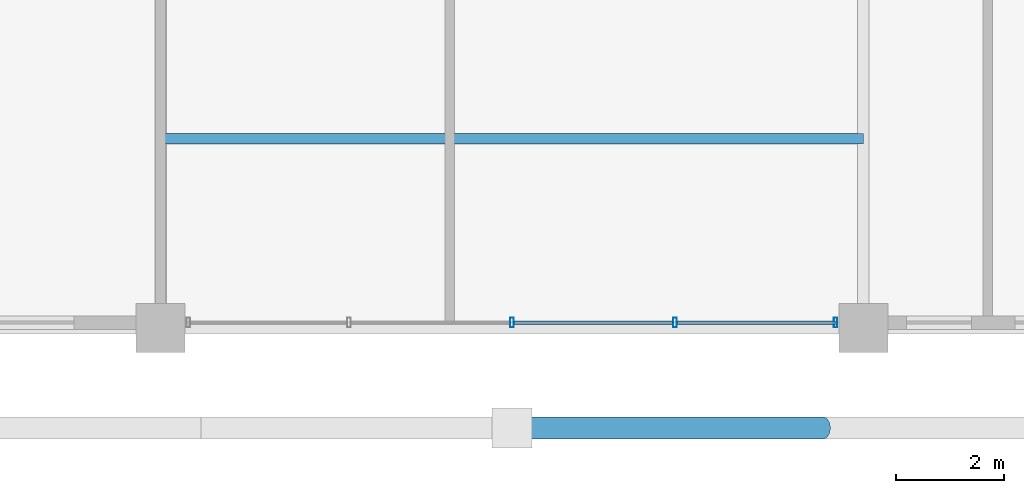
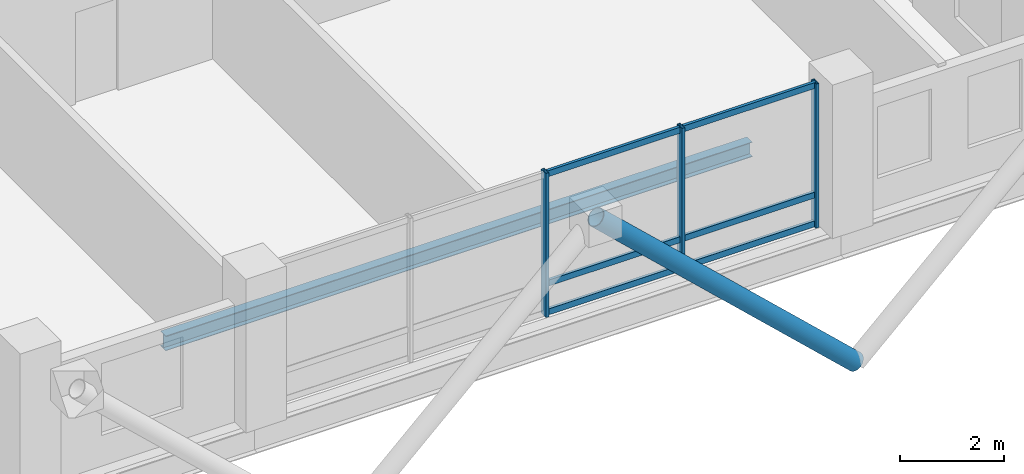
# One storey, part 5 of 23: 10 members, 1 beam, 1 element without a shape of its own.
"""IFC4 building model written with IfcOpenShell, lengths in metres."""

from ifc_helpers import new_model, si_unit, direction, frame, origin, origin_2d, place, context, subcontext, project, spatial, hollow_rectangle, hollow_circle, i_section, extrude, material, layer, layer_set, material_profile, profile_set, type_object, element, aggregate, save


model = new_model("IFC4")

# Units and contexts
model_context = context("Model", 3, precision=1e-05, world=origin(), true_north=direction((0.0, 1.0)))
body_context = subcontext(model_context, "Body", "Model", "MODEL_VIEW")
ifc_project = project(units=[si_unit("LENGTHUNIT", "METRE"), si_unit("AREAUNIT", "SQUARE_METRE"), si_unit("VOLUMEUNIT", "CUBIC_METRE"), si_unit("PLANEANGLEUNIT", "RADIAN"), si_unit("MASSUNIT", "GRAM", prefix="KILO")], contexts=[model_context])

# Site, building, storey
site_placement = place(None, origin())
site = spatial("IfcSite", under=ifc_project, at=site_placement, CompositionType="ELEMENT")
building_placement = place(site_placement, origin())
building = spatial("IfcBuilding", under=site, at=building_placement, Name="Barlavira Tower and Art Museum", CompositionType="ELEMENT")
storey_placement = place(building_placement, frame((0.0, 0.0, 247.5)))
storey = spatial("IfcBuildingStorey", under=building, at=storey_placement, Name="L64", CompositionType="ELEMENT", Elevation=247.5)

# Curtain wall, members
ifc_material_1 = material(Name="Low-iron coastal laminated glass", Category="glass")
ifc_layer = layer(ifc_material_1, 0.2099609375, Name="Low-iron coastal laminated glass")
ifc_layer_set = layer_set([ifc_layer], Name="Low-iron coastal laminated glass")
curtain_wall_type = type_object("IfcCurtainWallType", Name="Pale-Metal Unitised Curtain Wall Zone 4", PredefinedType="NOTDEFINED", material=ifc_layer_set)
curtain_wall_placement = place(storey_placement, origin())
curtain_wall = element("IfcCurtainWall", 1, at=curtain_wall_placement, inside=storey, type_object=curtain_wall_type, Name="L64 Curtain Wall CW4-L64-S-B2", PredefinedType="NOTDEFINED")
ifc_material_2 = material(Name="Pale anodised aluminium", Category="aluminium")
ifc_material_profile_1 = material_profile(ifc_material_2, hollow_rectangle(XDim=0.06494140625, YDim=0.179931640625, WallThickness=0.00390625, at=origin_2d()), Name="ALU-MULL 65x180x4")
ifc_profile_set_1 = profile_set([ifc_material_profile_1], Name="Pale anodised aluminium")
member_type_1 = type_object("IfcMemberType", Name="Curtain Wall Pale-Metal Mullion 65x180", PredefinedType="MULLION", material=ifc_profile_set_1)
member_1_placement = place(storey_placement, frame((0.0, -19.89990234375, 0.0), z_axis=(0.0, 0.0, 1.0), x_axis=(1.0, 0.0, 0.0)))
member_1 = element("IfcMember", 2, at=member_1_placement, type_object=member_type_1, Name="CW4-L64-S-B2 Mullion 2", PredefinedType="MULLION", context=body_context, shape_type="SweptSolid", body=[
    extrude(hollow_rectangle(XDim=0.06494140625, YDim=0.179931640625, WallThickness=0.00390625, at=origin_2d()), origin(), (0.0, 0.0, 1.0), 3.3798828125),
])
member_2_placement = place(storey_placement, frame((3.014892578125, -19.89990234375, 0.0), z_axis=(0.0, 0.0, 1.0), x_axis=(1.0, 0.0, 0.0)))
member_2 = element("IfcMember", 3, at=member_2_placement, type_object=member_type_1, Name="CW4-L64-S-B2 Mullion 3", PredefinedType="MULLION", context=body_context, shape_type="SweptSolid", body=[
    extrude(hollow_rectangle(XDim=0.06494140625, YDim=0.179931640625, WallThickness=0.00390625, at=origin_2d()), origin(), (0.0, 0.0, 1.0), 3.3798828125),
])
member_3_placement = place(storey_placement, frame((5.985107421875, -19.89990234375, 0.0), z_axis=(0.0, 0.0, 1.0), x_axis=(1.0, 0.0, 0.0)))
member_3 = element("IfcMember", 4, at=member_3_placement, type_object=member_type_1, Name="CW4-L64-S-B2 Mullion 4", PredefinedType="MULLION", context=body_context, shape_type="SweptSolid", body=[
    extrude(hollow_rectangle(XDim=0.06494140625, YDim=0.179931640625, WallThickness=0.00390625, at=origin_2d()), origin(), (0.0, 0.0, 1.0), 3.3798828125),
])
ifc_material_profile_2 = material_profile(ifc_material_2, hollow_rectangle(XDim=0.06494140625, YDim=0.139892578125, WallThickness=0.00390625, at=origin_2d()), Name="ALU-TRAN 65x140x4")
ifc_profile_set_2 = profile_set([ifc_material_profile_2], Name="Pale anodised aluminium")
member_type_2 = type_object("IfcMemberType", Name="Curtain Wall Pale-Metal Transom 65x140", PredefinedType="USERDEFINED", material=ifc_profile_set_2)
member_4_placement = place(storey_placement, frame((0.044921875, -19.89990234375, 0.070068359375), z_axis=(1.0, 0.0, 0.0), x_axis=(0.0, 1.0, 0.0)))
member_4 = element("IfcMember", 5, at=member_4_placement, type_object=member_type_2, Name="CW4-L64-S-B2 Transom 2.1", ObjectType="TRANSOM", PredefinedType="USERDEFINED", context=body_context, shape_type="SweptSolid", body=[
    extrude(hollow_rectangle(XDim=0.06494140625, YDim=0.139892578125, WallThickness=0.00390625, at=origin_2d()), origin(), (0.0, 0.0, 1.0), 2.925048828125),
])
member_5_placement = place(storey_placement, frame((0.044921875, -19.89990234375, 0.743896484375), z_axis=(1.0, 0.0, 0.0), x_axis=(0.0, 1.0, 0.0)))
member_5 = element("IfcMember", 6, at=member_5_placement, type_object=member_type_2, Name="CW4-L64-S-B2 Transom 2.2", ObjectType="TRANSOM", PredefinedType="USERDEFINED", context=body_context, shape_type="SweptSolid", body=[
    extrude(hollow_rectangle(XDim=0.06494140625, YDim=0.139892578125, WallThickness=0.00390625, at=origin_2d()), origin(), (0.0, 0.0, 1.0), 2.925048828125),
])
member_6_placement = place(storey_placement, frame((0.044921875, -19.89990234375, 3.31005859375), z_axis=(1.0, 0.0, 0.0), x_axis=(0.0, 1.0, 0.0)))
member_6 = element("IfcMember", 7, at=member_6_placement, type_object=member_type_2, Name="CW4-L64-S-B2 Transom 2.3", ObjectType="TRANSOM", PredefinedType="USERDEFINED", context=body_context, shape_type="SweptSolid", body=[
    extrude(hollow_rectangle(XDim=0.06494140625, YDim=0.139892578125, WallThickness=0.00390625, at=origin_2d()), origin(), (0.0, 0.0, 1.0), 2.925048828125),
])
member_7_placement = place(storey_placement, frame((3.06005859375, -19.89990234375, 0.070068359375), z_axis=(1.0, 0.0, 0.0), x_axis=(0.0, 1.0, 0.0)))
member_7 = element("IfcMember", 8, at=member_7_placement, type_object=member_type_2, Name="CW4-L64-S-B2 Transom 3.1", ObjectType="TRANSOM", PredefinedType="USERDEFINED", context=body_context, shape_type="SweptSolid", body=[
    extrude(hollow_rectangle(XDim=0.06494140625, YDim=0.139892578125, WallThickness=0.00390625, at=origin_2d()), origin(), (0.0, 0.0, 1.0), 2.925048828125),
])
member_8_placement = place(storey_placement, frame((3.06005859375, -19.89990234375, 0.743896484375), z_axis=(1.0, 0.0, 0.0), x_axis=(0.0, 1.0, 0.0)))
member_8 = element("IfcMember", 9, at=member_8_placement, type_object=member_type_2, Name="CW4-L64-S-B2 Transom 3.2", ObjectType="TRANSOM", PredefinedType="USERDEFINED", context=body_context, shape_type="SweptSolid", body=[
    extrude(hollow_rectangle(XDim=0.06494140625, YDim=0.139892578125, WallThickness=0.00390625, at=origin_2d()), origin(), (0.0, 0.0, 1.0), 2.925048828125),
])
member_9_placement = place(storey_placement, frame((3.06005859375, -19.89990234375, 3.31005859375), z_axis=(1.0, 0.0, 0.0), x_axis=(0.0, 1.0, 0.0)))
member_9 = element("IfcMember", 10, at=member_9_placement, type_object=member_type_2, Name="CW4-L64-S-B2 Transom 3.3", ObjectType="TRANSOM", PredefinedType="USERDEFINED", context=body_context, shape_type="SweptSolid", body=[
    extrude(hollow_rectangle(XDim=0.06494140625, YDim=0.139892578125, WallThickness=0.00390625, at=origin_2d()), origin(), (0.0, 0.0, 1.0), 2.925048828125),
])
aggregate(curtain_wall, [member_1, member_2, member_3, member_4, member_5, member_6, member_7, member_8, member_9])

# Member
ifc_material_3 = material(Name="Steel S355", Category="steel")
ifc_material_profile_3 = material_profile(ifc_material_3, hollow_circle(Radius=0.203125, WallThickness=0.01611328125, at=origin_2d()), Name="CHS 406.4x16.0")
ifc_profile_set_3 = profile_set([ifc_material_profile_3], Name="Steel S355")
member_type_3 = type_object("IfcMemberType", Name="Pale-Metal Exoskeleton Diagrid Tube CHS 406x16 Steel S355", PredefinedType="BRACE", material=ifc_profile_set_3)
member_10_placement = place(storey_placement, frame((5.75, -21.85009765625, -1.919921875), z_axis=(-0.728950095515, 0.0, 0.684566839869), x_axis=(0.0, -1.0, 0.0)))
element("IfcMember", 11, at=member_10_placement, inside=storey, type_object=member_type_3, Name="L64 Exoskeleton Diagrid Tube S", PredefinedType="BRACE", context=body_context, shape_type="SweptSolid", body=[
    extrude(hollow_circle(Radius=0.203125, WallThickness=0.01611328125, at=origin_2d()), origin(), (0.0, 0.0, 1.0), 7.887939453125),
])

# Beam
ifc_material_profile_4 = material_profile(ifc_material_3, i_section(OverallWidth=0.202880859375, OverallDepth=0.346923828125, WebThickness=0.0078125, FlangeThickness=0.013427734375, at=origin_2d()), Name="W360x64.0")
ifc_profile_set_4 = profile_set([ifc_material_profile_4], Name="Steel S355")
beam_type = type_object("IfcBeamType", Name="Zone 4 Composite Floor Joist W360x64 Steel S355", PredefinedType="JOIST", material=ifc_profile_set_4)
beam_placement = place(storey_placement, frame((-6.5, -16.5, -0.3935546875), z_axis=(1.0, 0.0, 0.0), x_axis=(0.0, 1.0, 0.0)))
element("IfcBeam", 12, at=beam_placement, inside=storey, type_object=beam_type, Name="L64 Joist C1", PredefinedType="JOIST", context=body_context, shape_type="SweptSolid", body=[
    extrude(i_section(OverallWidth=0.202880859375, OverallDepth=0.346923828125, WebThickness=0.0078125, FlangeThickness=0.013427734375, at=origin_2d()), origin(), (0.0, 0.0, 1.0), 13.0),
])

save(model, "model.ifc")
